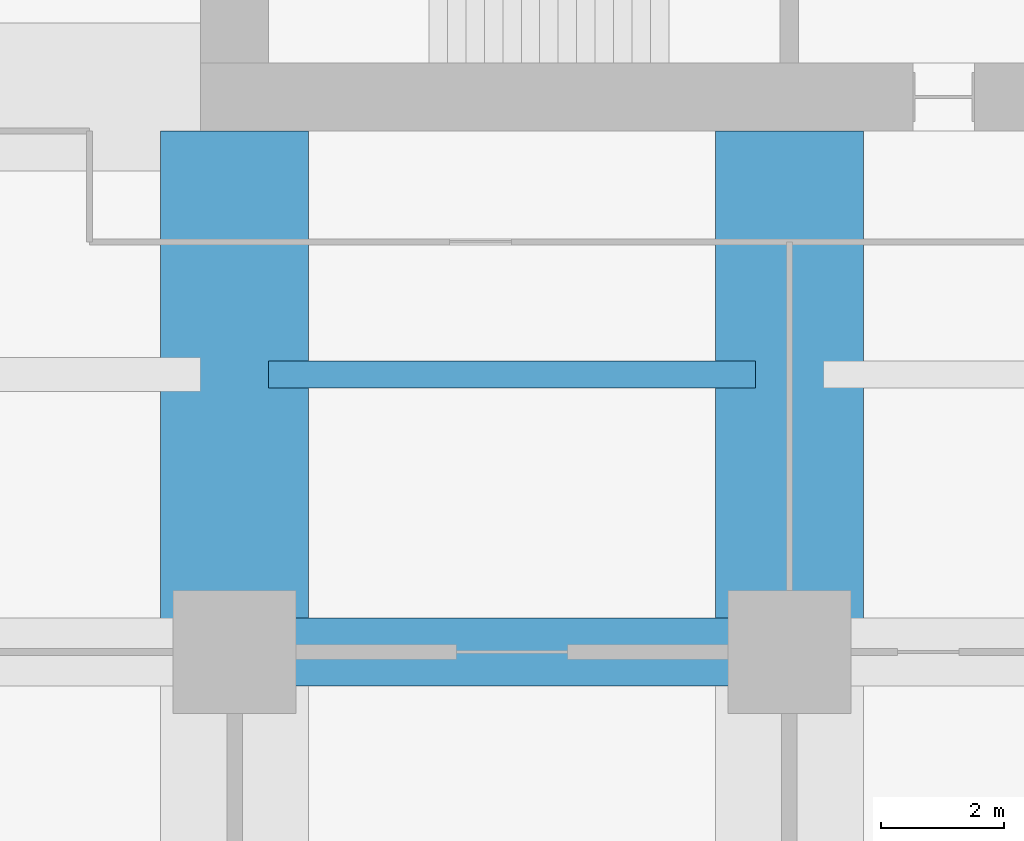
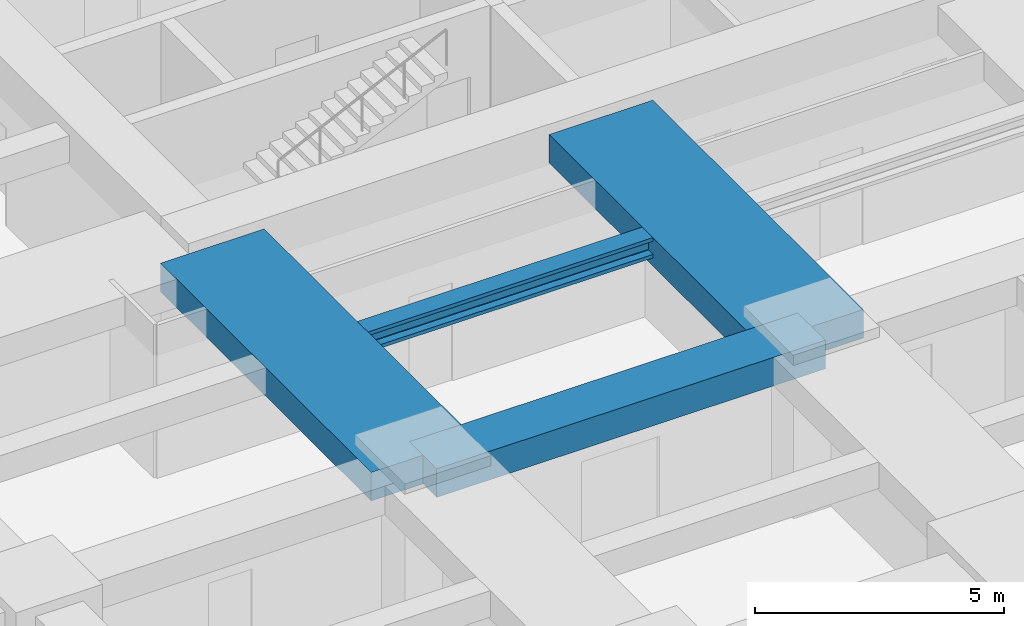
# One storey, part 9 of 35: 4 beams.
"""IFC4 building model written with IfcOpenShell, lengths in metres."""

import ifcopenshell
import ifcopenshell.guid

model = None  # the IFC model being written
_history = None  # IfcOwnerHistory: only IFC2X3 demands one
_inside = {}  # id of a spatial element -> (the spatial element, [elements in it])
_under = {}  # id of a project, library or spatial element -> (it, [spatial elements below it])
_declared = {}  # id of a project -> (the project, [libraries it declares])
_typed = {}  # id of a type object -> (the type object, [elements of that type])
_made_of = {}  # id of a material, layer set ... -> (it, [elements and type objects made of it])


def new_model(schema):
    """Start an empty IFC model of exactly this schema.

    Asked for "IFC4X3", IfcOpenShell would pick the latest addendum, in which some entities
    have other attributes; the version numbers below select the first issue.
    IFC2X3 requires an IfcOwnerHistory on every rooted entity: one is made here for all.
    """
    global model, _history
    if schema == "IFC4X3":
        model = ifcopenshell.file(schema_version=(4, 3, 0, 0))
    else:
        model = ifcopenshell.file(schema=schema)
    _inside.clear()
    _under.clear()
    _declared.clear()
    _typed.clear()
    _made_of.clear()
    _history = None
    if model.schema == "IFC2X3":
        org = make("IfcOrganization", Name="unknown")
        user = make(
            "IfcPersonAndOrganization",
            ThePerson=make("IfcPerson", FamilyName="unknown"),
            TheOrganization=org,
        )
        app = make(
            "IfcApplication",
            ApplicationDeveloper=org,
            Version="unknown",
            ApplicationFullName="unknown",
            ApplicationIdentifier="unknown",
        )
        _history = make(
            "IfcOwnerHistory",
            OwningUser=user,
            OwningApplication=app,
            ChangeAction="ADDED",
            CreationDate=0,
        )
    return model


def make(cls, **values):
    """One entity of the class cls with the attributes given. An attribute that is None is left unset."""
    return model.create_entity(
        cls, **{name: value for name, value in values.items() if value is not None}
    )


def rooted(cls, **values):
    """An entity with a GlobalId (a new one), such as an element, a storey or a relation."""
    return make(cls, GlobalId=ifcopenshell.guid.new(), OwnerHistory=_history, **values)


def si_unit(unit_type, name, prefix=None):
    """IfcSIUnit, for example si_unit("LENGTHUNIT", "METRE", prefix="MILLI")."""
    return make("IfcSIUnit", UnitType=unit_type, Prefix=prefix, Name=name)


def assignment(units):
    """IfcUnitAssignment: the units of a project."""
    return None if units is None else make("IfcUnitAssignment", Units=units)


def point(xyz):
    """IfcCartesianPoint."""
    return None if xyz is None else make("IfcCartesianPoint", Coordinates=xyz)


def direction(xyz):
    """IfcDirection."""
    return None if xyz is None else make("IfcDirection", DirectionRatios=xyz)


def frame(location, z_axis=None, x_axis=None):
    """IfcAxis2Placement3D, a coordinate frame: its origin and axes. An axis left out is left unset."""
    return make(
        "IfcAxis2Placement3D",
        Location=point(location),
        Axis=direction(z_axis),
        RefDirection=direction(x_axis),
    )


def frame_2d(location, x_axis=None):
    """IfcAxis2Placement2D, a coordinate frame in the plane: its origin and x axis."""
    return make(
        "IfcAxis2Placement2D", Location=point(location), RefDirection=direction(x_axis)
    )


def origin():
    """The frame at (0, 0, 0) with its axes left unset."""
    return frame((0.0, 0.0, 0.0))


def origin_2d():
    """The frame at (0, 0) in the plane with its x axis left unset."""
    return frame_2d((0.0, 0.0))


def place(relative_to, where):
    """IfcLocalPlacement: puts the frame where relative to a parent placement (None: the world)."""
    return make(
        "IfcLocalPlacement", PlacementRelTo=relative_to, RelativePlacement=where
    )


def context(
    kind, dimensions, precision=None, world=None, true_north=None, identifier=None
):
    """IfcGeometricRepresentationContext, for example the 3D "Model" context."""
    return make(
        "IfcGeometricRepresentationContext",
        ContextIdentifier=identifier,
        ContextType=kind,
        CoordinateSpaceDimension=dimensions,
        Precision=precision,
        WorldCoordinateSystem=world,
        TrueNorth=true_north,
    )


def subcontext(parent, identifier, kind, view, scale=None):
    """IfcGeometricRepresentationSubContext, for example "Body" below "Model"."""
    return make(
        "IfcGeometricRepresentationSubContext",
        ContextIdentifier=identifier,
        ContextType=kind,
        ParentContext=parent,
        TargetScale=scale,
        TargetView=view,
    )


def project(units=None, contexts=None):
    """IfcProject with its units and contexts."""
    return rooted(
        "IfcProject",
        Name="project",
        RepresentationContexts=contexts,
        UnitsInContext=assignment(units),
    )


def spatial(cls, under=None, at=None, **own):
    """A site, building, storey or space (cls), placed at a placement, below another one or the project."""
    s = rooted(cls, ObjectPlacement=at, **own)
    if under is not None:
        _under.setdefault(under.id(), (under, []))[1].append(s)
    return s


def profile(cls, at=None, kind="AREA", **sizes):
    """A parametric profile (cls). Its sizes go by their IFC names, for example OverallWidth=200.0."""
    return make(cls, ProfileType=kind, Position=at, **sizes)


def rectangle(**sizes):
    """IfcRectangleProfileDef."""
    return profile("IfcRectangleProfileDef", **sizes)


def i_section(**sizes):
    """IfcIShapeProfileDef."""
    return profile("IfcIShapeProfileDef", **sizes)


def extrude(swept, where, along, depth):
    """IfcExtrudedAreaSolid: the profile swept, set in the frame where, extruded along a direction by depth."""
    return make(
        "IfcExtrudedAreaSolid",
        SweptArea=swept,
        Position=where,
        ExtrudedDirection=direction(along),
        Depth=depth,
    )


def shape(context_of_items, identifier, shape_type, items):
    """IfcShapeRepresentation: the items that make up one representation, for example the "Body"."""
    return make(
        "IfcShapeRepresentation",
        ContextOfItems=context_of_items,
        RepresentationIdentifier=identifier,
        RepresentationType=shape_type,
        Items=items,
    )


def material(Name=None, Category=None):
    """IfcMaterial."""
    return make("IfcMaterial", Name=Name, Category=Category)


def material_profile(
    of_material, cross_section, Name=None, Category=None, Priority=None
):
    """IfcMaterialProfile: a cross section and its material."""
    return make(
        "IfcMaterialProfile",
        Name=Name,
        Material=of_material,
        Profile=cross_section,
        Priority=Priority,
        Category=Category,
    )


def profile_set(profiles, Name=None, composite=None):
    """IfcMaterialProfileSet."""
    return make(
        "IfcMaterialProfileSet",
        Name=Name,
        MaterialProfiles=profiles,
        CompositeProfile=composite,
    )


def made_of(thing, what):
    """Note that an element or type object is made of a material, layer set ...; save() writes the relation."""
    if what is not None:
        _made_of.setdefault(what.id(), (what, []))[1].append(thing)
    return thing


def type_object(cls, material=None, **own):
    """A type object (cls), such as IfcWallType, which elements share."""
    return made_of(rooted(cls, **own), material)


def element(
    cls,
    number,
    at=None,
    inside=None,
    cuts=None,
    type_object=None,
    material=None,
    context=None,
    identifier="Body",
    shape_type=None,
    held_by="IfcProductDefinitionShape",
    body=None,
    shapes=None,
    **own,
):
    """One element of the class cls, such as IfcWall. Its Tag is "e" and its number.

    at: its placement. inside: the storey or other place that contains it. cuts: it is an
    opening in that element (IfcRelVoidsElement). A single representation is given by context,
    identifier, shape_type and body (its items); several are given by shapes. held_by: the class
    of the entity that holds the representations. save() writes the other relations.
    """
    e = rooted(cls, Tag="e%d" % number, ObjectPlacement=at, **own)
    if body is not None:
        shapes = [shape(context, identifier, shape_type, body)]
    if shapes is not None:
        e.Representation = make(held_by, Representations=shapes)
    if inside is not None:
        _inside.setdefault(inside.id(), (inside, []))[1].append(e)
    if cuts is not None:
        rooted(
            "IfcRelVoidsElement", RelatingBuildingElement=cuts, RelatedOpeningElement=e
        )
    if type_object is not None:
        _typed.setdefault(type_object.id(), (type_object, []))[1].append(e)
    return made_of(e, material)


def aggregate(whole, parts):
    """IfcRelAggregates: a whole, such as a stair, and the parts it consists of."""
    return rooted("IfcRelAggregates", RelatingObject=whole, RelatedObjects=parts)


def save(model, path):
    """Write the relations noted so far, then the file.

    IfcRelAggregates (storeys below a building ...), IfcRelContainedInSpatialStructure (elements
    in a storey), IfcRelDefinesByType, IfcRelAssociatesMaterial and IfcRelDeclares: one each for
    every whole, place, type object, material and project.
    """
    for whole, parts in _under.values():
        aggregate(whole, parts)
    for where, things in _inside.values():
        rooted(
            "IfcRelContainedInSpatialStructure",
            RelatedElements=things,
            RelatingStructure=where,
        )
    for kind, things in _typed.values():
        rooted("IfcRelDefinesByType", RelatedObjects=things, RelatingType=kind)
    for what, things in _made_of.values():
        rooted("IfcRelAssociatesMaterial", RelatedObjects=things, RelatingMaterial=what)
    for by, libraries in _declared.values():
        rooted("IfcRelDeclares", RelatingContext=by, RelatedDefinitions=libraries)
    model.write(path)


model = new_model("IFC4")

# Units and contexts
model_context = context("Model", 3, precision=1e-05, world=origin(), true_north=direction((0.0, 1.0)))
body_context = subcontext(model_context, "Body", "Model", "MODEL_VIEW")
ifc_project = project(units=[si_unit("LENGTHUNIT", "METRE"), si_unit("AREAUNIT", "SQUARE_METRE"), si_unit("VOLUMEUNIT", "CUBIC_METRE"), si_unit("PLANEANGLEUNIT", "RADIAN"), si_unit("MASSUNIT", "GRAM", prefix="KILO")], contexts=[model_context])

# Site, building, storey
site_placement = place(None, origin())
site = spatial("IfcSite", under=ifc_project, at=site_placement, CompositionType="ELEMENT")
building_placement = place(site_placement, origin())
building = spatial("IfcBuilding", under=site, at=building_placement, Name="Zorevar Civic Tower", CompositionType="ELEMENT")
storey_placement = place(building_placement, frame((0.0, 0.0, 162.199951171875)))
storey = spatial("IfcBuildingStorey", under=building, at=storey_placement, Name="L39", CompositionType="ELEMENT", Elevation=162.199951171875)

# Beams
ifc_material_1 = material(Name="Concrete C50/60", Category="concrete")
ifc_material_profile_1 = material_profile(ifc_material_1, rectangle(XDim=1.10009765625, YDim=0.699951171875, at=origin_2d()), Name="RC 1100x700")
ifc_profile_set_1 = profile_set([ifc_material_profile_1], Name="Concrete C50/60")
beam_type_1 = type_object("IfcBeamType", Name="Beam RC 1100x700", PredefinedType="BEAM", material=ifc_profile_set_1)
beam_1_placement = place(storey_placement, frame((18.0, 9.0, 3.400146484375), z_axis=(1.0, 0.0, 0.0), x_axis=(0.0, 1.0, 0.0)))
element("IfcBeam", 1, at=beam_1_placement, inside=storey, type_object=beam_type_1, Name="Girder L40", PredefinedType="BEAM", context=body_context, shape_type="SweptSolid", body=[
    extrude(rectangle(XDim=1.10009765625, YDim=0.699951171875, at=origin_2d()), origin(), (0.0, 0.0, 1.0), 9.0),
])
ifc_material_2 = material(Name="Concrete C50/60", Category="concrete")
ifc_material_profile_2 = material_profile(ifc_material_2, rectangle(XDim=2.39990234375, YDim=0.699951171875, at=origin_2d()), Name="RC 2400x700")
ifc_profile_set_2 = profile_set([ifc_material_profile_2], Name="Concrete C50/60")
beam_type_2 = type_object("IfcBeamType", Name="Beam RC 2400x700", PredefinedType="BEAM", material=ifc_profile_set_2)
for number, where, z_axis, x_axis, name in (
    (2, (18.0, 9.0, 3.400146484375), (0.0, 1.0, 0.0), (-1.0, 0.0, 0.0), "Girder L40"),
    (3, (27.0, 9.0, 3.400146484375), (0.0, 1.0, 0.0), (-1.0, 0.0, 0.0), "Girder L40"),
):
    element("IfcBeam", number, at=place(storey_placement, frame(where, z_axis=z_axis, x_axis=x_axis)), inside=storey, type_object=beam_type_2, Name=name, PredefinedType="BEAM", context=body_context, shape_type="SweptSolid", body=[
        extrude(rectangle(XDim=2.39990234375, YDim=0.699951171875, at=origin_2d()), origin(), (0.0, 0.0, 1.0), 8.449951171875),
    ])
ifc_material_3 = material(Name="Steel S460M (HISTAR 460)", Category="steel")
ifc_material_profile_3 = material_profile(ifc_material_3, i_section(OverallWidth=0.431884765625, OverallDepth=0.498046875, WebThickness=0.0556640625, FlangeThickness=0.0888671875, FilletRadius=0.014892578125, at=origin_2d()), Name="HD 400x744")
ifc_profile_set_3 = profile_set([ifc_material_profile_3], Name="Steel S460M (HISTAR 460)")
beam_type_3 = type_object("IfcBeamType", Name="Core bay beam HD 400x744", PredefinedType="BEAM", material=ifc_profile_set_3)
beam_2_placement = place(storey_placement, frame((18.550048828125, 13.5, 3.5009765625), z_axis=(1.0, 0.0, 0.0), x_axis=(0.0, 1.0, 0.0)))
element("IfcBeam", 4, at=beam_2_placement, inside=storey, type_object=beam_type_3, Name="Secondary beam L40", PredefinedType="BEAM", context=body_context, shape_type="SweptSolid", body=[
    extrude(i_section(OverallWidth=0.431884765625, OverallDepth=0.498046875, WebThickness=0.0556640625, FlangeThickness=0.0888671875, FilletRadius=0.014892578125, at=origin_2d()), origin(), (0.0, 0.0, 1.0), 7.89990234375),
])

save(model, "model.ifc")
